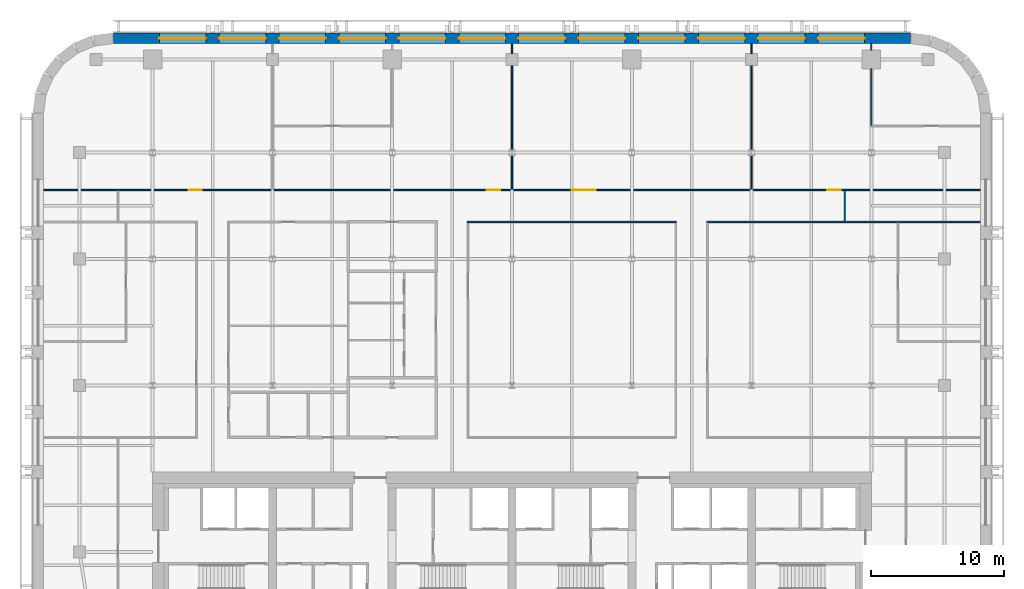
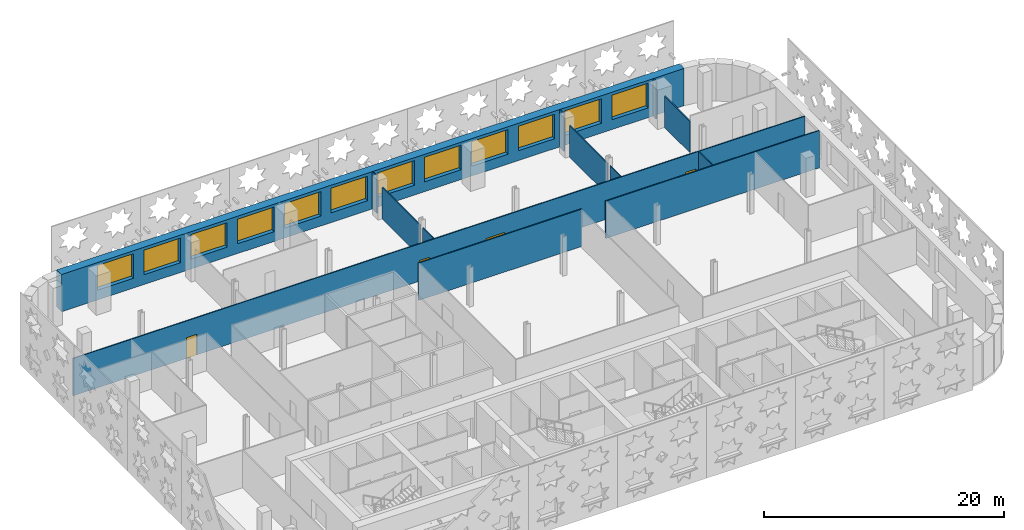
# One storey, part 7 of 13: 13 walls, 12 windows, 4 doors, 16 openings.
"""IFC4 building model written with IfcOpenShell, lengths in metres."""

from ifc_helpers import new_model, si_unit, direction, frame, frame_2d, origin, place, context, subcontext, project, spatial, rectangle, extrude, material, layer, layer_set, type_object, element, fill, save


model = new_model("IFC4")

# Units and contexts
model_context = context("Model", 3, precision=1e-05, world=origin(), true_north=direction((0.0, 1.0)))
body_context = subcontext(model_context, "Body", "Model", "MODEL_VIEW")
ifc_project = project(units=[si_unit("LENGTHUNIT", "METRE"), si_unit("AREAUNIT", "SQUARE_METRE"), si_unit("VOLUMEUNIT", "CUBIC_METRE"), si_unit("PLANEANGLEUNIT", "RADIAN"), si_unit("MASSUNIT", "GRAM", prefix="KILO")], contexts=[model_context])

# Site, building, storey
site_placement = place(None, origin())
site = spatial("IfcSite", under=ifc_project, at=site_placement, CompositionType="ELEMENT")
building_placement = place(site_placement, origin())
building = spatial("IfcBuilding", under=site, at=building_placement, Name="Zellij Exchange Tower", CompositionType="ELEMENT")
storey_placement = place(building_placement, frame((0.0, 0.0, 172.5)))
storey = spatial("IfcBuildingStorey", under=building, at=storey_placement, Name="L39", CompositionType="ELEMENT", Elevation=172.5)

# Wall, openings, windows
ifc_material_1 = material(Name="Precast concrete C40/50", Category="concrete")
ifc_layer_1 = layer(ifc_material_1, 0.800048828125)
ifc_layer_set_1 = layer_set([ifc_layer_1], Name="Precast concrete C40/50")
wall_type_1 = type_object("IfcWallType", Name="ENV-EW1 Precast stone-piered wall 800", PredefinedType="SOLIDWALL", material=ifc_layer_set_1)
wall_1_placement = place(storey_placement, frame((29.947509765625, 30.60009765625, 0.0), z_axis=(0.0, 0.0, 1.0), x_axis=(-1.0, 0.0, 0.0)))
wall_1 = element("IfcWall", 1, at=wall_1_placement, inside=storey, type_object=wall_type_1, Name="fac.L39.14", PredefinedType="SOLIDWALL", context=body_context, shape_type="SweptSolid", body=[
    extrude(rectangle(XDim=59.89501953125, YDim=0.800048828125, at=frame_2d((29.947509765625, 0.0))), origin(), (0.0, 0.0, 1.0), 3.800048828125),
])
opening_1_placement = place(wall_1_placement, frame((3.447509765625, 0.0, 1.0)))
opening_1 = element("IfcOpeningElement", 2, at=opening_1_placement, cuts=wall_1, Name="Opening FZ3.19", PredefinedType="OPENING", context=body_context, shape_type="SweptSolid", body=[
    extrude(rectangle(XDim=3.5, YDim=2.5, at=frame_2d((1.75, 1.25))), frame((0.0, 0.412109375, 0.0), z_axis=(0.0, -1.0, 0.0), x_axis=(1.0, 0.0, 0.0)), (0.0, 0.0, 1.0), 0.823974609375),
])
opening_2_placement = place(wall_1_placement, frame((7.947509765625, 0.0, 1.0)))
opening_2 = element("IfcOpeningElement", 3, at=opening_2_placement, cuts=wall_1, Name="Opening FZ3.20", PredefinedType="OPENING", context=body_context, shape_type="SweptSolid", body=[
    extrude(rectangle(XDim=3.5, YDim=2.5, at=frame_2d((1.75, 1.25))), frame((0.0, 0.412109375, 0.0), z_axis=(0.0, -1.0, 0.0), x_axis=(1.0, 0.0, 0.0)), (0.0, 0.0, 1.0), 0.823974609375),
])
opening_3_placement = place(wall_1_placement, frame((12.447509765625, 0.0, 1.0)))
opening_3 = element("IfcOpeningElement", 4, at=opening_3_placement, cuts=wall_1, Name="Opening FZ3.21", PredefinedType="OPENING", context=body_context, shape_type="SweptSolid", body=[
    extrude(rectangle(XDim=3.5, YDim=2.5, at=frame_2d((1.75, 1.25))), frame((0.0, 0.412109375, 0.0), z_axis=(0.0, -1.0, 0.0), x_axis=(1.0, 0.0, 0.0)), (0.0, 0.0, 1.0), 0.823974609375),
])
opening_4_placement = place(wall_1_placement, frame((16.947509765625, 0.0, 1.0)))
opening_4 = element("IfcOpeningElement", 5, at=opening_4_placement, cuts=wall_1, Name="Opening FZ3.22", PredefinedType="OPENING", context=body_context, shape_type="SweptSolid", body=[
    extrude(rectangle(XDim=3.5, YDim=2.5, at=frame_2d((1.75, 1.25))), frame((0.0, 0.412109375, 0.0), z_axis=(0.0, -1.0, 0.0), x_axis=(1.0, 0.0, 0.0)), (0.0, 0.0, 1.0), 0.823974609375),
])
opening_5_placement = place(wall_1_placement, frame((21.447509765625, 0.0, 1.0)))
opening_5 = element("IfcOpeningElement", 6, at=opening_5_placement, cuts=wall_1, Name="Opening FZ3.23", PredefinedType="OPENING", context=body_context, shape_type="SweptSolid", body=[
    extrude(rectangle(XDim=3.5, YDim=2.5, at=frame_2d((1.75, 1.25))), frame((0.0, 0.412109375, 0.0), z_axis=(0.0, -1.0, 0.0), x_axis=(1.0, 0.0, 0.0)), (0.0, 0.0, 1.0), 0.823974609375),
])
opening_6_placement = place(wall_1_placement, frame((25.947509765625, 0.0, 1.0)))
opening_6 = element("IfcOpeningElement", 7, at=opening_6_placement, cuts=wall_1, Name="Opening FZ3.24", PredefinedType="OPENING", context=body_context, shape_type="SweptSolid", body=[
    extrude(rectangle(XDim=3.5, YDim=2.5, at=frame_2d((1.75, 1.25))), frame((0.0, 0.412109375, 0.0), z_axis=(0.0, -1.0, 0.0), x_axis=(1.0, 0.0, 0.0)), (0.0, 0.0, 1.0), 0.823974609375),
])
opening_7_placement = place(wall_1_placement, frame((30.447509765625, 0.0, 1.0)))
opening_7 = element("IfcOpeningElement", 8, at=opening_7_placement, cuts=wall_1, Name="Opening FZ3.25", PredefinedType="OPENING", context=body_context, shape_type="SweptSolid", body=[
    extrude(rectangle(XDim=3.5, YDim=2.5, at=frame_2d((1.75, 1.25))), frame((0.0, 0.412109375, 0.0), z_axis=(0.0, -1.0, 0.0), x_axis=(1.0, 0.0, 0.0)), (0.0, 0.0, 1.0), 0.823974609375),
])
opening_8_placement = place(wall_1_placement, frame((34.947509765625, 0.0, 1.0)))
opening_8 = element("IfcOpeningElement", 9, at=opening_8_placement, cuts=wall_1, Name="Opening FZ3.26", PredefinedType="OPENING", context=body_context, shape_type="SweptSolid", body=[
    extrude(rectangle(XDim=3.5, YDim=2.5, at=frame_2d((1.75, 1.25))), frame((0.0, 0.412109375, 0.0), z_axis=(0.0, -1.0, 0.0), x_axis=(1.0, 0.0, 0.0)), (0.0, 0.0, 1.0), 0.823974609375),
])
opening_9_placement = place(wall_1_placement, frame((39.447509765625, 0.0, 1.0)))
opening_9 = element("IfcOpeningElement", 10, at=opening_9_placement, cuts=wall_1, Name="Opening FZ3.27", PredefinedType="OPENING", context=body_context, shape_type="SweptSolid", body=[
    extrude(rectangle(XDim=3.5, YDim=2.5, at=frame_2d((1.75, 1.25))), frame((0.0, 0.412109375, 0.0), z_axis=(0.0, -1.0, 0.0), x_axis=(1.0, 0.0, 0.0)), (0.0, 0.0, 1.0), 0.823974609375),
])
opening_10_placement = place(wall_1_placement, frame((43.947509765625, 0.0, 1.0)))
opening_10 = element("IfcOpeningElement", 11, at=opening_10_placement, cuts=wall_1, Name="Opening FZ3.28", PredefinedType="OPENING", context=body_context, shape_type="SweptSolid", body=[
    extrude(rectangle(XDim=3.5, YDim=2.5, at=frame_2d((1.75, 1.25))), frame((0.0, 0.412109375, 0.0), z_axis=(0.0, -1.0, 0.0), x_axis=(1.0, 0.0, 0.0)), (0.0, 0.0, 1.0), 0.823974609375),
])
opening_11_placement = place(wall_1_placement, frame((48.447509765625, 0.0, 1.0)))
opening_11 = element("IfcOpeningElement", 12, at=opening_11_placement, cuts=wall_1, Name="Opening FZ3.29", PredefinedType="OPENING", context=body_context, shape_type="SweptSolid", body=[
    extrude(rectangle(XDim=3.5, YDim=2.5, at=frame_2d((1.75, 1.25))), frame((0.0, 0.412109375, 0.0), z_axis=(0.0, -1.0, 0.0), x_axis=(1.0, 0.0, 0.0)), (0.0, 0.0, 1.0), 0.823974609375),
])
opening_12_placement = place(wall_1_placement, frame((52.947509765625, 0.0, 1.0)))
opening_12 = element("IfcOpeningElement", 13, at=opening_12_placement, cuts=wall_1, Name="Opening FZ3.30", PredefinedType="OPENING", context=body_context, shape_type="SweptSolid", body=[
    extrude(rectangle(XDim=3.5, YDim=2.5, at=frame_2d((1.75, 1.25))), frame((0.0, 0.412109375, 0.0), z_axis=(0.0, -1.0, 0.0), x_axis=(1.0, 0.0, 0.0)), (0.0, 0.0, 1.0), 0.823974609375),
])
ifc_material_2 = material(Name="Aluminium frame with insulating glass", Category="aluminium")
window_type = type_object("IfcWindowType", Name="ENV-W1 Window 3500x2500", PartitioningType="SINGLE_PANEL", PredefinedType="WINDOW", material=ifc_material_2)
window_1_placement = place(opening_1_placement, origin())
window_1 = element("IfcWindow", 14, at=window_1_placement, inside=storey, type_object=window_type, Name="Window FZ3.19", OverallHeight=2.5, OverallWidth=3.5, PartitioningType="SINGLE_PANEL", PredefinedType="WINDOW", context=body_context, shape_type="SweptSolid", body=[
    extrude(rectangle(XDim=3.5, YDim=2.5, at=frame_2d((1.75, 1.25))), frame((0.0, 0.030029296875, 0.0), z_axis=(0.0, -1.0, 0.0), x_axis=(1.0, 0.0, 0.0)), (0.0, 0.0, 1.0), 0.06005859375),
])
fill(opening_1, window_1)
window_2_placement = place(opening_2_placement, origin())
window_2 = element("IfcWindow", 15, at=window_2_placement, inside=storey, type_object=window_type, Name="Window FZ3.20", OverallHeight=2.5, OverallWidth=3.5, PartitioningType="SINGLE_PANEL", PredefinedType="WINDOW", context=body_context, shape_type="SweptSolid", body=[
    extrude(rectangle(XDim=3.5, YDim=2.5, at=frame_2d((1.75, 1.25))), frame((0.0, 0.030029296875, 0.0), z_axis=(0.0, -1.0, 0.0), x_axis=(1.0, 0.0, 0.0)), (0.0, 0.0, 1.0), 0.06005859375),
])
fill(opening_2, window_2)
window_3_placement = place(opening_3_placement, origin())
window_3 = element("IfcWindow", 16, at=window_3_placement, inside=storey, type_object=window_type, Name="Window FZ3.21", OverallHeight=2.5, OverallWidth=3.5, PartitioningType="SINGLE_PANEL", PredefinedType="WINDOW", context=body_context, shape_type="SweptSolid", body=[
    extrude(rectangle(XDim=3.5, YDim=2.5, at=frame_2d((1.75, 1.25))), frame((0.0, 0.030029296875, 0.0), z_axis=(0.0, -1.0, 0.0), x_axis=(1.0, 0.0, 0.0)), (0.0, 0.0, 1.0), 0.06005859375),
])
fill(opening_3, window_3)
window_4_placement = place(opening_4_placement, origin())
window_4 = element("IfcWindow", 17, at=window_4_placement, inside=storey, type_object=window_type, Name="Window FZ3.22", OverallHeight=2.5, OverallWidth=3.5, PartitioningType="SINGLE_PANEL", PredefinedType="WINDOW", context=body_context, shape_type="SweptSolid", body=[
    extrude(rectangle(XDim=3.5, YDim=2.5, at=frame_2d((1.75, 1.25))), frame((0.0, 0.030029296875, 0.0), z_axis=(0.0, -1.0, 0.0), x_axis=(1.0, 0.0, 0.0)), (0.0, 0.0, 1.0), 0.06005859375),
])
fill(opening_4, window_4)
window_5_placement = place(opening_5_placement, origin())
window_5 = element("IfcWindow", 18, at=window_5_placement, inside=storey, type_object=window_type, Name="Window FZ3.23", OverallHeight=2.5, OverallWidth=3.5, PartitioningType="SINGLE_PANEL", PredefinedType="WINDOW", context=body_context, shape_type="SweptSolid", body=[
    extrude(rectangle(XDim=3.5, YDim=2.5, at=frame_2d((1.75, 1.25))), frame((0.0, 0.030029296875, 0.0), z_axis=(0.0, -1.0, 0.0), x_axis=(1.0, 0.0, 0.0)), (0.0, 0.0, 1.0), 0.06005859375),
])
fill(opening_5, window_5)
window_6_placement = place(opening_6_placement, origin())
window_6 = element("IfcWindow", 19, at=window_6_placement, inside=storey, type_object=window_type, Name="Window FZ3.24", OverallHeight=2.5, OverallWidth=3.5, PartitioningType="SINGLE_PANEL", PredefinedType="WINDOW", context=body_context, shape_type="SweptSolid", body=[
    extrude(rectangle(XDim=3.5, YDim=2.5, at=frame_2d((1.75, 1.25))), frame((0.0, 0.030029296875, 0.0), z_axis=(0.0, -1.0, 0.0), x_axis=(1.0, 0.0, 0.0)), (0.0, 0.0, 1.0), 0.06005859375),
])
fill(opening_6, window_6)
window_7_placement = place(opening_7_placement, origin())
window_7 = element("IfcWindow", 20, at=window_7_placement, inside=storey, type_object=window_type, Name="Window FZ3.25", OverallHeight=2.5, OverallWidth=3.5, PartitioningType="SINGLE_PANEL", PredefinedType="WINDOW", context=body_context, shape_type="SweptSolid", body=[
    extrude(rectangle(XDim=3.5, YDim=2.5, at=frame_2d((1.75, 1.25))), frame((0.0, 0.030029296875, 0.0), z_axis=(0.0, -1.0, 0.0), x_axis=(1.0, 0.0, 0.0)), (0.0, 0.0, 1.0), 0.06005859375),
])
fill(opening_7, window_7)
window_8_placement = place(opening_8_placement, origin())
window_8 = element("IfcWindow", 21, at=window_8_placement, inside=storey, type_object=window_type, Name="Window FZ3.26", OverallHeight=2.5, OverallWidth=3.5, PartitioningType="SINGLE_PANEL", PredefinedType="WINDOW", context=body_context, shape_type="SweptSolid", body=[
    extrude(rectangle(XDim=3.5, YDim=2.5, at=frame_2d((1.75, 1.25))), frame((0.0, 0.030029296875, 0.0), z_axis=(0.0, -1.0, 0.0), x_axis=(1.0, 0.0, 0.0)), (0.0, 0.0, 1.0), 0.06005859375),
])
fill(opening_8, window_8)
window_9_placement = place(opening_9_placement, origin())
window_9 = element("IfcWindow", 22, at=window_9_placement, inside=storey, type_object=window_type, Name="Window FZ3.27", OverallHeight=2.5, OverallWidth=3.5, PartitioningType="SINGLE_PANEL", PredefinedType="WINDOW", context=body_context, shape_type="SweptSolid", body=[
    extrude(rectangle(XDim=3.5, YDim=2.5, at=frame_2d((1.75, 1.25))), frame((0.0, 0.030029296875, 0.0), z_axis=(0.0, -1.0, 0.0), x_axis=(1.0, 0.0, 0.0)), (0.0, 0.0, 1.0), 0.06005859375),
])
fill(opening_9, window_9)
window_10_placement = place(opening_10_placement, origin())
window_10 = element("IfcWindow", 23, at=window_10_placement, inside=storey, type_object=window_type, Name="Window FZ3.28", OverallHeight=2.5, OverallWidth=3.5, PartitioningType="SINGLE_PANEL", PredefinedType="WINDOW", context=body_context, shape_type="SweptSolid", body=[
    extrude(rectangle(XDim=3.5, YDim=2.5, at=frame_2d((1.75, 1.25))), frame((0.0, 0.030029296875, 0.0), z_axis=(0.0, -1.0, 0.0), x_axis=(1.0, 0.0, 0.0)), (0.0, 0.0, 1.0), 0.06005859375),
])
fill(opening_10, window_10)
window_11_placement = place(opening_11_placement, origin())
window_11 = element("IfcWindow", 24, at=window_11_placement, inside=storey, type_object=window_type, Name="Window FZ3.29", OverallHeight=2.5, OverallWidth=3.5, PartitioningType="SINGLE_PANEL", PredefinedType="WINDOW", context=body_context, shape_type="SweptSolid", body=[
    extrude(rectangle(XDim=3.5, YDim=2.5, at=frame_2d((1.75, 1.25))), frame((0.0, 0.030029296875, 0.0), z_axis=(0.0, -1.0, 0.0), x_axis=(1.0, 0.0, 0.0)), (0.0, 0.0, 1.0), 0.06005859375),
])
fill(opening_11, window_11)
window_12_placement = place(opening_12_placement, origin())
window_12 = element("IfcWindow", 25, at=window_12_placement, inside=storey, type_object=window_type, Name="Window FZ3.30", OverallHeight=2.5, OverallWidth=3.5, PartitioningType="SINGLE_PANEL", PredefinedType="WINDOW", context=body_context, shape_type="SweptSolid", body=[
    extrude(rectangle(XDim=3.5, YDim=2.5, at=frame_2d((1.75, 1.25))), frame((0.0, 0.030029296875, 0.0), z_axis=(0.0, -1.0, 0.0), x_axis=(1.0, 0.0, 0.0)), (0.0, 0.0, 1.0), 0.06005859375),
])
fill(opening_12, window_12)

# Walls
ifc_material_3 = material(Name="Gypsum board partition on steel studs", Category="steel")
ifc_layer_2 = layer(ifc_material_3, 0.10009765625)
ifc_layer_set_2 = layer_set([ifc_layer_2], Name="Gypsum board partition on steel studs")
wall_type_2 = type_object("IfcWallType", Name="FIT-PARTITION-100", PredefinedType="PARTITIONING", material=ifc_layer_set_2)
wall_2_placement = place(storey_placement, frame((-3.35009765625, 16.800048828125, 0.0), z_axis=(0.0, 0.0, 1.0), x_axis=(1.0, 0.0, 0.0)))
element("IfcWall", 26, at=wall_2_placement, inside=storey, type_object=wall_type_2, Name="FIT-PARTITION-100 038", PredefinedType="PARTITIONING", context=body_context, shape_type="SweptSolid", body=[
    extrude(rectangle(XDim=15.7001953125, YDim=0.10009765625, at=frame_2d((7.85009765625, 0.0))), origin(), (0.0, 0.0, 1.0), 3.800048828125),
])
wall_3_placement = place(storey_placement, frame((14.64990234375, 16.800048828125, 0.0), z_axis=(0.0, 0.0, 1.0), x_axis=(1.0, 0.0, 0.0)))
element("IfcWall", 27, at=wall_3_placement, inside=storey, type_object=wall_type_2, Name="FIT-PARTITION-100 039", PredefinedType="PARTITIONING", context=body_context, shape_type="SweptSolid", body=[
    extrude(rectangle(XDim=20.550048828125, YDim=0.10009765625, at=frame_2d((10.27490234375, 0.0))), origin(), (0.0, 0.0, 1.0), 3.800048828125),
])
wall_4_placement = place(storey_placement, frame((25.0, 16.85009765625, 0.0), z_axis=(0.0, 0.0, 1.0), x_axis=(0.0, 1.0, 0.0)))
element("IfcWall", 28, at=wall_4_placement, inside=storey, type_object=wall_type_2, Name="FIT-PARTITION-100 040", PredefinedType="PARTITIONING", context=body_context, shape_type="SweptSolid", body=[
    extrude(rectangle(XDim=2.2998046875, YDim=0.10009765625, at=frame_2d((1.14990234375, 0.0))), origin(), (0.0, 0.0, 1.0), 3.800048828125),
])

# Wall, openings, doors
wall_5_placement = place(storey_placement, frame((-35.199951171875, 19.199951171875, 0.0), z_axis=(0.0, 0.0, 1.0), x_axis=(1.0, 0.0, 0.0)))
wall_5 = element("IfcWall", 29, at=wall_5_placement, inside=storey, type_object=wall_type_2, Name="FIT-PARTITION-100 041", PredefinedType="PARTITIONING", context=body_context, shape_type="SweptSolid", body=[
    extrude(rectangle(XDim=70.39990234375, YDim=0.10009765625, at=frame_2d((35.199951171875, 0.0))), origin(), (0.0, 0.0, 1.0), 3.800048828125),
])
opening_13_placement = place(wall_5_placement, frame((10.89990234375, 0.0, 0.0)))
opening_13 = element("IfcOpeningElement", 30, at=opening_13_placement, cuts=wall_5, Name="Opening O3A.19", PredefinedType="OPENING", context=body_context, shape_type="SweptSolid", body=[
    extrude(rectangle(XDim=1.0, YDim=2.10009765625, at=frame_2d((0.5, 1.050048828125))), frame((0.0, 0.06201171875, 0.0), z_axis=(0.0, -1.0, 0.0), x_axis=(1.0, 0.0, 0.0)), (0.0, 0.0, 1.0), 0.1240234375),
])
opening_14_placement = place(wall_5_placement, frame((33.300048828125, 0.0, 0.0)))
opening_14 = element("IfcOpeningElement", 31, at=opening_14_placement, cuts=wall_5, Name="Opening O3A.20", PredefinedType="OPENING", context=body_context, shape_type="SweptSolid", body=[
    extrude(rectangle(XDim=1.0, YDim=2.10009765625, at=frame_2d((0.5, 1.050048828125))), frame((0.0, 0.06201171875, 0.0), z_axis=(0.0, -1.0, 0.0), x_axis=(1.0, 0.0, 0.0)), (0.0, 0.0, 1.0), 0.1240234375),
])
opening_15_placement = place(wall_5_placement, frame((39.699951171875, 0.0, 0.0)))
opening_15 = element("IfcOpeningElement", 32, at=opening_15_placement, cuts=wall_5, Name="Opening O3A.21", PredefinedType="OPENING", context=body_context, shape_type="SweptSolid", body=[
    extrude(rectangle(XDim=1.800048828125, YDim=2.10009765625, at=frame_2d((0.89990234375, 1.050048828125))), frame((0.0, 0.06201171875, 0.0), z_axis=(0.0, -1.0, 0.0), x_axis=(1.0, 0.0, 0.0)), (0.0, 0.0, 1.0), 0.1240234375),
])
opening_16_placement = place(wall_5_placement, frame((58.89990234375, 0.0, 0.0)))
opening_16 = element("IfcOpeningElement", 33, at=opening_16_placement, cuts=wall_5, Name="Opening O3A.22", PredefinedType="OPENING", context=body_context, shape_type="SweptSolid", body=[
    extrude(rectangle(XDim=1.0, YDim=2.10009765625, at=frame_2d((0.5, 1.050048828125))), frame((0.0, 0.06201171875, 0.0), z_axis=(0.0, -1.0, 0.0), x_axis=(1.0, 0.0, 0.0)), (0.0, 0.0, 1.0), 0.1240234375),
])
ifc_material_4 = material(Name="Timber door set", Category="wood")
door_type_1 = type_object("IfcDoorType", Name="FIT-D2-WIDE-1000X2100", OperationType="SINGLE_SWING_LEFT", PredefinedType="DOOR", material=ifc_material_4)
door_1_placement = place(opening_13_placement, origin())
door_1 = element("IfcDoor", 34, at=door_1_placement, inside=storey, type_object=door_type_1, Name="Door O3A.19", OperationType="SINGLE_SWING_RIGHT", OverallHeight=2.10009765625, OverallWidth=1.0, PredefinedType="DOOR", context=body_context, shape_type="SweptSolid", body=[
    extrude(rectangle(XDim=1.0, YDim=2.10009765625, at=frame_2d((0.5, 1.050048828125))), frame((0.0, 0.02490234375, 0.0), z_axis=(0.0, -1.0, 0.0), x_axis=(1.0, 0.0, 0.0)), (0.0, 0.0, 1.0), 0.050048828125),
])
fill(opening_13, door_1)
door_2_placement = place(opening_14_placement, origin())
door_2 = element("IfcDoor", 35, at=door_2_placement, inside=storey, type_object=door_type_1, Name="Door O3A.20", OperationType="SINGLE_SWING_LEFT", OverallHeight=2.10009765625, OverallWidth=1.0, PredefinedType="DOOR", context=body_context, shape_type="SweptSolid", body=[
    extrude(rectangle(XDim=1.0, YDim=2.10009765625, at=frame_2d((0.5, 1.050048828125))), frame((0.0, 0.02490234375, 0.0), z_axis=(0.0, -1.0, 0.0), x_axis=(1.0, 0.0, 0.0)), (0.0, 0.0, 1.0), 0.050048828125),
])
fill(opening_14, door_2)
door_3_placement = place(opening_16_placement, origin())
door_3 = element("IfcDoor", 36, at=door_3_placement, inside=storey, type_object=door_type_1, Name="Door O3A.22", OperationType="SINGLE_SWING_LEFT", OverallHeight=2.10009765625, OverallWidth=1.0, PredefinedType="DOOR", context=body_context, shape_type="SweptSolid", body=[
    extrude(rectangle(XDim=1.0, YDim=2.10009765625, at=frame_2d((0.5, 1.050048828125))), frame((0.0, 0.02490234375, 0.0), z_axis=(0.0, -1.0, 0.0), x_axis=(1.0, 0.0, 0.0)), (0.0, 0.0, 1.0), 0.050048828125),
])
fill(opening_16, door_3)
door_type_2 = type_object("IfcDoorType", Name="FIT-D3-DOUBLE-1800X2100", OperationType="DOUBLE_DOOR_SINGLE_SWING", PredefinedType="DOOR", material=ifc_material_4)
door_4_placement = place(opening_15_placement, origin())
door_4 = element("IfcDoor", 37, at=door_4_placement, inside=storey, type_object=door_type_2, Name="Door O3A.21", OperationType="DOUBLE_DOOR_SINGLE_SWING", OverallHeight=2.10009765625, OverallWidth=1.800048828125, PredefinedType="DOOR", context=body_context, shape_type="SweptSolid", body=[
    extrude(rectangle(XDim=1.800048828125, YDim=2.10009765625, at=frame_2d((0.89990234375, 1.050048828125))), frame((0.0, 0.02490234375, 0.0), z_axis=(0.0, -1.0, 0.0), x_axis=(1.0, 0.0, 0.0)), (0.0, 0.0, 1.0), 0.050048828125),
])
fill(opening_15, door_4)

# Walls
wall_6_placement = place(storey_placement, frame((0.0, 19.25, 0.0), z_axis=(0.0, 0.0, 1.0), x_axis=(0.0, 1.0, 0.0)))
element("IfcWall", 38, at=wall_6_placement, inside=storey, type_object=wall_type_2, Name="FIT-PARTITION-100 045", PredefinedType="PARTITIONING", context=body_context, shape_type="SweptSolid", body=[
    extrude(rectangle(XDim=2.537841796875, YDim=0.10009765625, at=frame_2d((1.26904296875, 0.0))), origin(), (0.0, 0.0, 1.0), 3.19287109375),
])
wall_7_placement = place(storey_placement, frame((0.0, 22.212158203125, 0.0), z_axis=(0.0, 0.0, 1.0), x_axis=(0.0, 1.0, 0.0)))
element("IfcWall", 39, at=wall_7_placement, inside=storey, type_object=wall_type_2, Name="FIT-PARTITION-100 046", PredefinedType="PARTITIONING", context=body_context, shape_type="SweptSolid", body=[
    extrude(rectangle(XDim=6.337890625, YDim=0.10009765625, at=frame_2d((3.1689453125, 0.0))), origin(), (0.0, 0.0, 1.0), 3.19287109375),
])
wall_8_placement = place(storey_placement, frame((0.0, 29.449951171875, 0.0), z_axis=(0.0, 0.0, 1.0), x_axis=(0.0, 1.0, 0.0)))
element("IfcWall", 40, at=wall_8_placement, inside=storey, type_object=wall_type_2, Name="FIT-PARTITION-100 047", PredefinedType="PARTITIONING", context=body_context, shape_type="SweptSolid", body=[
    extrude(rectangle(XDim=0.75, YDim=0.10009765625, at=frame_2d((0.375, 0.0))), origin(), (0.0, 0.0, 1.0), 3.800048828125),
])
wall_9_placement = place(storey_placement, frame((18.0, 19.25, 0.0), z_axis=(0.0, 0.0, 1.0), x_axis=(0.0, 1.0, 0.0)))
element("IfcWall", 41, at=wall_9_placement, inside=storey, type_object=wall_type_2, Name="FIT-PARTITION-100 048", PredefinedType="PARTITIONING", context=body_context, shape_type="SweptSolid", body=[
    extrude(rectangle(XDim=2.537841796875, YDim=0.10009765625, at=frame_2d((1.26904296875, 0.0))), origin(), (0.0, 0.0, 1.0), 3.19287109375),
])
wall_10_placement = place(storey_placement, frame((18.0, 22.212158203125, 0.0), z_axis=(0.0, 0.0, 1.0), x_axis=(0.0, 1.0, 0.0)))
element("IfcWall", 42, at=wall_10_placement, inside=storey, type_object=wall_type_2, Name="FIT-PARTITION-100 049", PredefinedType="PARTITIONING", context=body_context, shape_type="SweptSolid", body=[
    extrude(rectangle(XDim=6.337890625, YDim=0.10009765625, at=frame_2d((3.1689453125, 0.0))), origin(), (0.0, 0.0, 1.0), 3.19287109375),
])
wall_11_placement = place(storey_placement, frame((18.0, 29.449951171875, 0.0), z_axis=(0.0, 0.0, 1.0), x_axis=(0.0, 1.0, 0.0)))
element("IfcWall", 43, at=wall_11_placement, inside=storey, type_object=wall_type_2, Name="FIT-PARTITION-100 050", PredefinedType="PARTITIONING", context=body_context, shape_type="SweptSolid", body=[
    extrude(rectangle(XDim=0.75, YDim=0.10009765625, at=frame_2d((0.375, 0.0))), origin(), (0.0, 0.0, 1.0), 3.800048828125),
])
wall_12_placement = place(storey_placement, frame((27.0, 24.050048828125, 0.0), z_axis=(0.0, 0.0, 1.0), x_axis=(0.0, 1.0, 0.0)))
element("IfcWall", 44, at=wall_12_placement, inside=storey, type_object=wall_type_2, Name="FIT-PARTITION-100 055", PredefinedType="PARTITIONING", context=body_context, shape_type="SweptSolid", body=[
    extrude(rectangle(XDim=4.25, YDim=0.10009765625, at=frame_2d((2.125, 0.0))), origin(), (0.0, 0.0, 1.0), 3.19287109375),
])
wall_13_placement = place(storey_placement, frame((27.0, 29.699951171875, 0.0), z_axis=(0.0, 0.0, 1.0), x_axis=(0.0, 1.0, 0.0)))
element("IfcWall", 45, at=wall_13_placement, inside=storey, type_object=wall_type_2, Name="FIT-PARTITION-100 056", PredefinedType="PARTITIONING", context=body_context, shape_type="SweptSolid", body=[
    extrude(rectangle(XDim=0.5, YDim=0.10009765625, at=frame_2d((0.25, 0.0))), origin(), (0.0, 0.0, 1.0), 3.800048828125),
])

save(model, "model.ifc")
